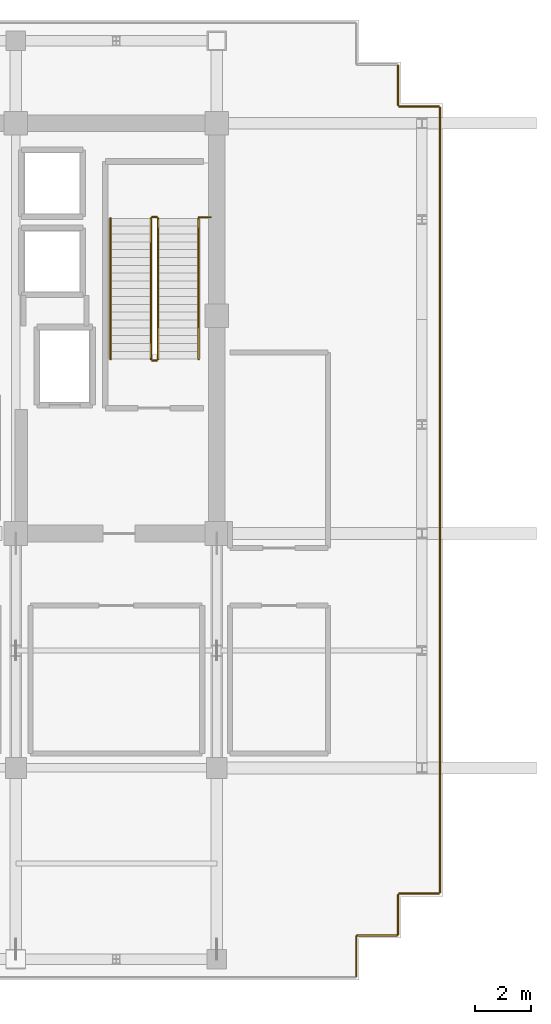
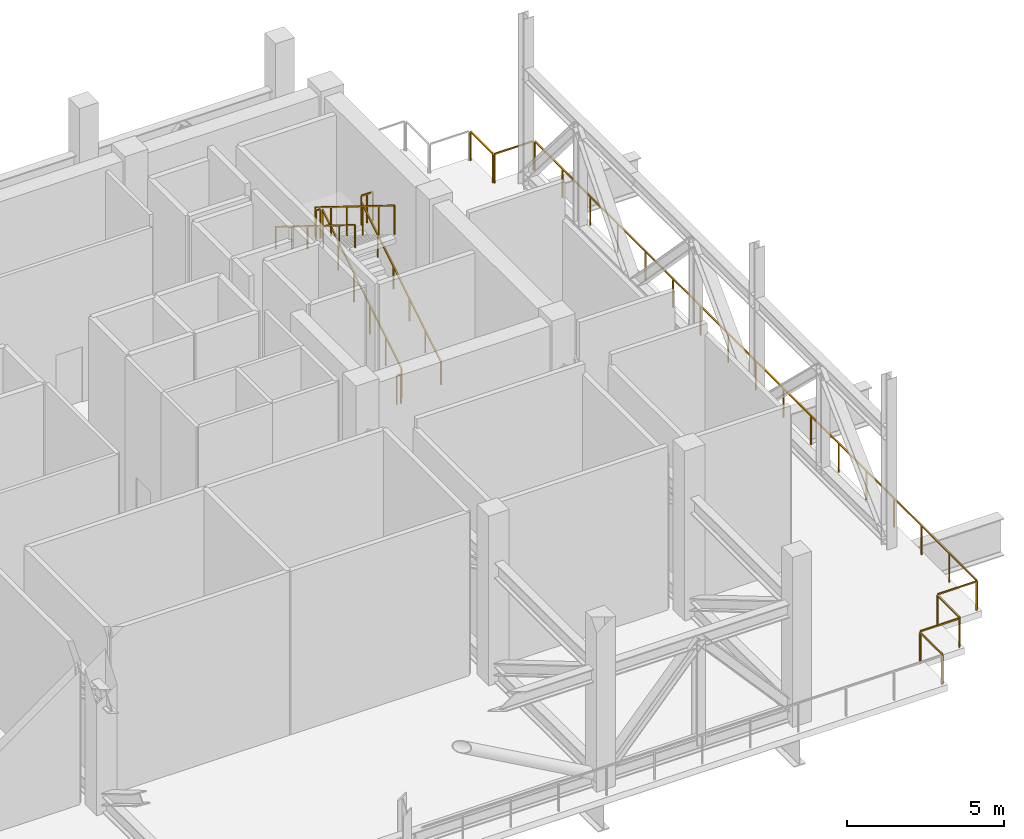
# One storey, part 9 of 11: 14 railings.
"""IFC4 building model written with IfcOpenShell, lengths in metres."""

from ifc_helpers import new_model, si_unit, direction, frame, origin, origin_2d, place, context, subcontext, project, spatial, rectangle, extrude, material, type_object, element, save


model = new_model("IFC4")

# Units and contexts
model_context = context("Model", 3, precision=1e-05, world=origin(), true_north=direction((0.0, 1.0)))
body_context = subcontext(model_context, "Body", "Model", "MODEL_VIEW")
ifc_project = project(units=[si_unit("LENGTHUNIT", "METRE"), si_unit("AREAUNIT", "SQUARE_METRE"), si_unit("VOLUMEUNIT", "CUBIC_METRE"), si_unit("PLANEANGLEUNIT", "RADIAN"), si_unit("MASSUNIT", "GRAM", prefix="KILO")], contexts=[model_context])

# Site, building, storey
site_placement = place(None, origin())
site = spatial("IfcSite", under=ifc_project, at=site_placement, CompositionType="ELEMENT")
building_placement = place(site_placement, origin())
building = spatial("IfcBuilding", under=site, at=building_placement, Name="Zarnakvel Exchange Tower", CompositionType="ELEMENT")
storey_placement = place(building_placement, frame((0.0, 0.0, 199.0)))
storey = spatial("IfcBuildingStorey", under=building, at=storey_placement, Name="L56", CompositionType="ELEMENT", Elevation=199.0)

# Railings
ifc_material_1 = material(Name="Architectural Bronze Anodised Aluminium", Category="aluminium")
railing_type_1 = type_object("IfcRailingType", Name="GR-01", PredefinedType="GUARDRAIL", material=ifc_material_1)
railing_1_placement = place(storey_placement, frame((20.89990234375, 15.56005859375, 0.0)))
element("IfcRailing", 1, at=railing_1_placement, inside=storey, type_object=railing_type_1, Name="L56 Perimeter Guardrail GR-L56-PERIM-09 (GR-01)", PredefinedType="GUARDRAIL", context=body_context, shape_type="SweptSolid", body=[
    extrude(rectangle(XDim=0.048095703125, YDim=0.048095703125, at=origin_2d()), frame((0.0, 0.0, 1.1259765625), z_axis=(0.0, -1.0, 0.0), x_axis=(1.0, 0.0, 0.0)), (0.0, 0.0, 1.0), 1.420166015625),
    extrude(rectangle(XDim=0.0419921875, YDim=0.0419921875, at=origin_2d()), origin(), (0.0, 0.0, 1.0), 1.101806640625),
    extrude(rectangle(XDim=0.0419921875, YDim=0.0419921875, at=origin_2d()), frame((0.0, -1.420166015625, 0.0)), (0.0, 0.0, 1.0), 1.101806640625),
])
railing_2_placement = place(storey_placement, frame((20.93994140625, 14.10009765625, 0.0)))
element("IfcRailing", 2, at=railing_2_placement, inside=storey, type_object=railing_type_1, Name="L56 Perimeter Guardrail GR-L56-PERIM-10 (GR-01)", PredefinedType="GUARDRAIL", context=body_context, shape_type="SweptSolid", body=[
    extrude(rectangle(XDim=0.048095703125, YDim=0.048095703125, at=origin_2d()), frame((0.0, 0.0, 1.1259765625), z_axis=(1.0, 0.0, 0.0), x_axis=(0.0, 1.0, 0.0)), (0.0, 0.0, 1.0), 1.420166015625),
    extrude(rectangle(XDim=0.0419921875, YDim=0.0419921875, at=origin_2d()), origin(), (0.0, 0.0, 1.0), 1.101806640625),
    extrude(rectangle(XDim=0.0419921875, YDim=0.0419921875, at=origin_2d()), frame((1.420166015625, 0.0, 0.0)), (0.0, 0.0, 1.0), 1.101806640625),
])
railing_3_placement = place(storey_placement, frame((22.39990234375, 14.06005859375, 0.0)))
element("IfcRailing", 3, at=railing_3_placement, inside=storey, type_object=railing_type_1, Name="L56 Perimeter Guardrail GR-L56-PERIM-11 (GR-01)", PredefinedType="GUARDRAIL", context=body_context, shape_type="SweptSolid", body=[
    extrude(rectangle(XDim=0.048095703125, YDim=0.048095703125, at=origin_2d()), frame((0.0, 0.0, 1.1259765625), z_axis=(0.0, -1.0, 0.0), x_axis=(1.0, 0.0, 0.0)), (0.0, 0.0, 1.0), 28.1201171875),
    extrude(rectangle(XDim=0.0419921875, YDim=0.0419921875, at=origin_2d()), origin(), (0.0, 0.0, 1.0), 1.101806640625),
    extrude(rectangle(XDim=0.0419921875, YDim=0.0419921875, at=origin_2d()), frame((0.0, -1.757568359375, 0.0)), (0.0, 0.0, 1.0), 1.101806640625),
    extrude(rectangle(XDim=0.0419921875, YDim=0.0419921875, at=origin_2d()), frame((0.0, -3.51513671875, 0.0)), (0.0, 0.0, 1.0), 1.101806640625),
    extrude(rectangle(XDim=0.0419921875, YDim=0.0419921875, at=origin_2d()), frame((0.0, -5.2724609375, 0.0)), (0.0, 0.0, 1.0), 1.101806640625),
    extrude(rectangle(XDim=0.0419921875, YDim=0.0419921875, at=origin_2d()), frame((0.0, -7.030029296875, 0.0)), (0.0, 0.0, 1.0), 1.101806640625),
    extrude(rectangle(XDim=0.0419921875, YDim=0.0419921875, at=origin_2d()), frame((0.0, -8.78759765625, 0.0)), (0.0, 0.0, 1.0), 1.101806640625),
    extrude(rectangle(XDim=0.0419921875, YDim=0.0419921875, at=origin_2d()), frame((0.0, -10.544921875, 0.0)), (0.0, 0.0, 1.0), 1.101806640625),
    extrude(rectangle(XDim=0.0419921875, YDim=0.0419921875, at=origin_2d()), frame((0.0, -12.302490234375, 0.0)), (0.0, 0.0, 1.0), 1.101806640625),
    extrude(rectangle(XDim=0.0419921875, YDim=0.0419921875, at=origin_2d()), frame((0.0, -14.06005859375, 0.0)), (0.0, 0.0, 1.0), 1.101806640625),
    extrude(rectangle(XDim=0.0419921875, YDim=0.0419921875, at=origin_2d()), frame((0.0, -15.817626953125, 0.0)), (0.0, 0.0, 1.0), 1.101806640625),
    extrude(rectangle(XDim=0.0419921875, YDim=0.0419921875, at=origin_2d()), frame((0.0, -17.5751953125, 0.0)), (0.0, 0.0, 1.0), 1.101806640625),
    extrude(rectangle(XDim=0.0419921875, YDim=0.0419921875, at=origin_2d()), frame((0.0, -19.33251953125, 0.0)), (0.0, 0.0, 1.0), 1.101806640625),
    extrude(rectangle(XDim=0.0419921875, YDim=0.0419921875, at=origin_2d()), frame((0.0, -21.090087890625, 0.0)), (0.0, 0.0, 1.0), 1.101806640625),
    extrude(rectangle(XDim=0.0419921875, YDim=0.0419921875, at=origin_2d()), frame((0.0, -22.84765625, 0.0)), (0.0, 0.0, 1.0), 1.101806640625),
    extrude(rectangle(XDim=0.0419921875, YDim=0.0419921875, at=origin_2d()), frame((0.0, -24.60498046875, 0.0)), (0.0, 0.0, 1.0), 1.101806640625),
    extrude(rectangle(XDim=0.0419921875, YDim=0.0419921875, at=origin_2d()), frame((0.0, -26.362548828125, 0.0)), (0.0, 0.0, 1.0), 1.101806640625),
    extrude(rectangle(XDim=0.0419921875, YDim=0.0419921875, at=origin_2d()), frame((0.0, -28.1201171875, 0.0)), (0.0, 0.0, 1.0), 1.101806640625),
])
railing_4_placement = place(storey_placement, frame((22.360107421875, -14.10009765625, 0.0)))
element("IfcRailing", 4, at=railing_4_placement, inside=storey, type_object=railing_type_1, Name="L56 Perimeter Guardrail GR-L56-PERIM-12 (GR-01)", PredefinedType="GUARDRAIL", context=body_context, shape_type="SweptSolid", body=[
    extrude(rectangle(XDim=0.048095703125, YDim=0.048095703125, at=origin_2d()), frame((0.0, 0.0, 1.1259765625), z_axis=(-1.0, 0.0, 0.0), x_axis=(0.0, -1.0, 0.0)), (0.0, 0.0, 1.0), 1.420166015625),
    extrude(rectangle(XDim=0.0419921875, YDim=0.0419921875, at=origin_2d()), origin(), (0.0, 0.0, 1.0), 1.101806640625),
    extrude(rectangle(XDim=0.0419921875, YDim=0.0419921875, at=origin_2d()), frame((-1.420166015625, 0.0, 0.0)), (0.0, 0.0, 1.0), 1.101806640625),
])
railing_5_placement = place(storey_placement, frame((20.89990234375, -14.139892578125, 0.0)))
element("IfcRailing", 5, at=railing_5_placement, inside=storey, type_object=railing_type_1, Name="L56 Perimeter Guardrail GR-L56-PERIM-13 (GR-01)", PredefinedType="GUARDRAIL", context=body_context, shape_type="SweptSolid", body=[
    extrude(rectangle(XDim=0.048095703125, YDim=0.048095703125, at=origin_2d()), frame((0.0, 0.0, 1.1259765625), z_axis=(0.0, -1.0, 0.0), x_axis=(1.0, 0.0, 0.0)), (0.0, 0.0, 1.0), 1.420166015625),
    extrude(rectangle(XDim=0.0419921875, YDim=0.0419921875, at=origin_2d()), origin(), (0.0, 0.0, 1.0), 1.101806640625),
    extrude(rectangle(XDim=0.0419921875, YDim=0.0419921875, at=origin_2d()), frame((0.0, -1.420166015625, 0.0)), (0.0, 0.0, 1.0), 1.101806640625),
])
railing_6_placement = place(storey_placement, frame((20.860107421875, -15.60009765625, 0.0)))
element("IfcRailing", 6, at=railing_6_placement, inside=storey, type_object=railing_type_1, Name="L56 Perimeter Guardrail GR-L56-PERIM-14 (GR-01)", PredefinedType="GUARDRAIL", context=body_context, shape_type="SweptSolid", body=[
    extrude(rectangle(XDim=0.048095703125, YDim=0.048095703125, at=origin_2d()), frame((0.0, 0.0, 1.1259765625), z_axis=(-1.0, 0.0, 0.0), x_axis=(0.0, -1.0, 0.0)), (0.0, 0.0, 1.0), 1.420166015625),
    extrude(rectangle(XDim=0.0419921875, YDim=0.0419921875, at=origin_2d()), origin(), (0.0, 0.0, 1.0), 1.101806640625),
    extrude(rectangle(XDim=0.0419921875, YDim=0.0419921875, at=origin_2d()), frame((-1.420166015625, 0.0, 0.0)), (0.0, 0.0, 1.0), 1.101806640625),
])
railing_7_placement = place(storey_placement, frame((19.39990234375, -15.639892578125, 0.0)))
element("IfcRailing", 7, at=railing_7_placement, inside=storey, type_object=railing_type_1, Name="L56 Perimeter Guardrail GR-L56-PERIM-15 (GR-01)", PredefinedType="GUARDRAIL", context=body_context, shape_type="SweptSolid", body=[
    extrude(rectangle(XDim=0.048095703125, YDim=0.048095703125, at=origin_2d()), frame((0.0, 0.0, 1.1259765625), z_axis=(0.0, -1.0, 0.0), x_axis=(1.0, 0.0, 0.0)), (0.0, 0.0, 1.0), 1.420166015625),
    extrude(rectangle(XDim=0.0419921875, YDim=0.0419921875, at=origin_2d()), origin(), (0.0, 0.0, 1.0), 1.101806640625),
    extrude(rectangle(XDim=0.0419921875, YDim=0.0419921875, at=origin_2d()), frame((0.0, -1.420166015625, 0.0)), (0.0, 0.0, 1.0), 1.101806640625),
])
ifc_material_2 = material(Name="Brushed Stainless Steel", Category="steel")
railing_type_2 = type_object("IfcRailingType", Name="HR-01", PredefinedType="HANDRAIL", material=ifc_material_2)
railing_8_placement = place(storey_placement, frame((13.75, 5.050048828125, 0.173583984375)))
element("IfcRailing", 8, at=railing_8_placement, inside=storey, type_object=railing_type_2, Name="L56 ST-02 stair handrail 1", PredefinedType="HANDRAIL", context=body_context, shape_type="SweptSolid", body=[
    extrude(rectangle(XDim=0.048095703125, YDim=0.048095703125, at=origin_2d()), frame((0.0, 0.0, 0.8759765625), z_axis=(0.0, 0.849778785312, 0.527139465448), x_axis=(-1.0, 0.0, 0.0)), (0.0, 0.0, 1.0), 5.930908203125),
    extrude(rectangle(XDim=0.0419921875, YDim=0.0419921875, at=origin_2d()), origin(), (0.0, 0.0, 1.0), 0.851806640625),
    extrude(rectangle(XDim=0.0419921875, YDim=0.0419921875, at=origin_2d()), frame((0.0, 1.008056640625, 0.625244140625)), (0.0, 0.0, 1.0), 0.851806640625),
    extrude(rectangle(XDim=0.0419921875, YDim=0.0419921875, at=origin_2d()), frame((0.0, 2.01611328125, 1.25048828125)), (0.0, 0.0, 1.0), 0.851806640625),
    extrude(rectangle(XDim=0.0419921875, YDim=0.0419921875, at=origin_2d()), frame((0.0, 3.02392578125, 1.8759765625)), (0.0, 0.0, 1.0), 0.851806640625),
    extrude(rectangle(XDim=0.0419921875, YDim=0.0419921875, at=origin_2d()), frame((0.0, 4.031982421875, 2.501220703125)), (0.0, 0.0, 1.0), 0.851806640625),
    extrude(rectangle(XDim=0.0419921875, YDim=0.0419921875, at=origin_2d()), frame((0.0, 5.0400390625, 3.12646484375)), (0.0, 0.0, 1.0), 0.851806640625),
])
railing_9_placement = place(storey_placement, frame((10.590087890625, 10.090087890625, 3.4736328125)))
element("IfcRailing", 9, at=railing_9_placement, inside=storey, type_object=railing_type_2, Name="L56 ST-02 stair handrail 2", PredefinedType="HANDRAIL", context=body_context, shape_type="SweptSolid", body=[
    extrude(rectangle(XDim=0.048095703125, YDim=0.048095703125, at=origin_2d()), frame((0.0, 0.0, 0.8759765625), z_axis=(0.0, -0.849778785312, 0.527139465448), x_axis=(1.0, 0.0, 0.0)), (0.0, 0.0, 1.0), 5.930908203125),
    extrude(rectangle(XDim=0.0419921875, YDim=0.0419921875, at=origin_2d()), origin(), (0.0, 0.0, 1.0), 0.851806640625),
    extrude(rectangle(XDim=0.0419921875, YDim=0.0419921875, at=origin_2d()), frame((0.0, -1.008056640625, 0.625244140625)), (0.0, 0.0, 1.0), 0.851806640625),
    extrude(rectangle(XDim=0.0419921875, YDim=0.0419921875, at=origin_2d()), frame((0.0, -2.01611328125, 1.25048828125)), (0.0, 0.0, 1.0), 0.851806640625),
    extrude(rectangle(XDim=0.0419921875, YDim=0.0419921875, at=origin_2d()), frame((0.0, -3.02392578125, 1.8759765625)), (0.0, 0.0, 1.0), 0.851806640625),
    extrude(rectangle(XDim=0.0419921875, YDim=0.0419921875, at=origin_2d()), frame((0.0, -4.031982421875, 2.501220703125)), (0.0, 0.0, 1.0), 0.851806640625),
    extrude(rectangle(XDim=0.0419921875, YDim=0.0419921875, at=origin_2d()), frame((0.0, -5.0400390625, 3.12646484375)), (0.0, 0.0, 1.0), 0.851806640625),
])
railing_type_3 = type_object("IfcRailingType", Name="SG-01", PredefinedType="GUARDRAIL", material=ifc_material_1)
railing_10_placement = place(storey_placement, frame((12.300048828125, 5.050048828125, 0.173583984375)))
element("IfcRailing", 10, at=railing_10_placement, inside=storey, type_object=railing_type_3, Name="L56 ST-02 stair guard 1", PredefinedType="GUARDRAIL", context=body_context, shape_type="SweptSolid", body=[
    extrude(rectangle(XDim=0.048095703125, YDim=0.048095703125, at=origin_2d()), frame((0.0, 0.0, 1.1259765625), z_axis=(0.0, 0.849778785312, 0.527139465448), x_axis=(-1.0, 0.0, 0.0)), (0.0, 0.0, 1.0), 5.930908203125),
    extrude(rectangle(XDim=0.0419921875, YDim=0.0419921875, at=origin_2d()), origin(), (0.0, 0.0, 1.0), 1.101806640625),
    extrude(rectangle(XDim=0.0419921875, YDim=0.0419921875, at=origin_2d()), frame((0.0, 1.008056640625, 0.625244140625)), (0.0, 0.0, 1.0), 1.101806640625),
    extrude(rectangle(XDim=0.0419921875, YDim=0.0419921875, at=origin_2d()), frame((0.0, 2.01611328125, 1.25048828125)), (0.0, 0.0, 1.0), 1.101806640625),
    extrude(rectangle(XDim=0.0419921875, YDim=0.0419921875, at=origin_2d()), frame((0.0, 3.02392578125, 1.8759765625)), (0.0, 0.0, 1.0), 1.101806640625),
    extrude(rectangle(XDim=0.0419921875, YDim=0.0419921875, at=origin_2d()), frame((0.0, 4.031982421875, 2.501220703125)), (0.0, 0.0, 1.0), 1.101806640625),
    extrude(rectangle(XDim=0.0419921875, YDim=0.0419921875, at=origin_2d()), frame((0.0, 5.0400390625, 3.12646484375)), (0.0, 0.0, 1.0), 1.101806640625),
])
railing_11_placement = place(storey_placement, frame((12.25, 10.139892578125, 3.300048828125)))
element("IfcRailing", 11, at=railing_11_placement, inside=storey, type_object=railing_type_3, Name="L56 ST-02 stair guard 2", PredefinedType="GUARDRAIL", context=body_context, shape_type="SweptSolid", body=[
    extrude(rectangle(XDim=0.048095703125, YDim=0.048095703125, at=origin_2d()), frame((0.0, 0.0, 1.1259765625), z_axis=(-1.0, 0.0, 0.0), x_axis=(0.0, -1.0, 0.0)), (0.0, 0.0, 1.0), 0.159912109375),
    extrude(rectangle(XDim=0.0419921875, YDim=0.0419921875, at=origin_2d()), origin(), (0.0, 0.0, 1.0), 1.101806640625),
    extrude(rectangle(XDim=0.0419921875, YDim=0.0419921875, at=origin_2d()), frame((-0.159912109375, 0.0, 0.0)), (0.0, 0.0, 1.0), 1.101806640625),
])
railing_12_placement = place(storey_placement, frame((12.0400390625, 10.090087890625, 3.4736328125)))
element("IfcRailing", 12, at=railing_12_placement, inside=storey, type_object=railing_type_3, Name="L56 ST-02 stair guard 3", PredefinedType="GUARDRAIL", context=body_context, shape_type="SweptSolid", body=[
    extrude(rectangle(XDim=0.048095703125, YDim=0.048095703125, at=origin_2d()), frame((0.0, 0.0, 1.1259765625), z_axis=(0.0, -0.849778785312, 0.527139465448), x_axis=(1.0, 0.0, 0.0)), (0.0, 0.0, 1.0), 5.930908203125),
    extrude(rectangle(XDim=0.0419921875, YDim=0.0419921875, at=origin_2d()), origin(), (0.0, 0.0, 1.0), 1.101806640625),
    extrude(rectangle(XDim=0.0419921875, YDim=0.0419921875, at=origin_2d()), frame((0.0, -1.008056640625, 0.625244140625)), (0.0, 0.0, 1.0), 1.101806640625),
    extrude(rectangle(XDim=0.0419921875, YDim=0.0419921875, at=origin_2d()), frame((0.0, -2.01611328125, 1.25048828125)), (0.0, 0.0, 1.0), 1.101806640625),
    extrude(rectangle(XDim=0.0419921875, YDim=0.0419921875, at=origin_2d()), frame((0.0, -3.02392578125, 1.8759765625)), (0.0, 0.0, 1.0), 1.101806640625),
    extrude(rectangle(XDim=0.0419921875, YDim=0.0419921875, at=origin_2d()), frame((0.0, -4.031982421875, 2.501220703125)), (0.0, 0.0, 1.0), 1.101806640625),
    extrude(rectangle(XDim=0.0419921875, YDim=0.0419921875, at=origin_2d()), frame((0.0, -5.0400390625, 3.12646484375)), (0.0, 0.0, 1.0), 1.101806640625),
])
railing_13_placement = place(storey_placement, frame((12.25, 5.0, 0.0)))
element("IfcRailing", 13, at=railing_13_placement, inside=storey, type_object=railing_type_3, Name="L56 ST-02 stair guard 4", PredefinedType="GUARDRAIL", context=body_context, shape_type="SweptSolid", body=[
    extrude(rectangle(XDim=0.048095703125, YDim=0.048095703125, at=origin_2d()), frame((0.0, 0.0, 1.1259765625), z_axis=(-1.0, 0.0, 0.0), x_axis=(0.0, -1.0, 0.0)), (0.0, 0.0, 1.0), 0.159912109375),
    extrude(rectangle(XDim=0.0419921875, YDim=0.0419921875, at=origin_2d()), origin(), (0.0, 0.0, 1.0), 1.101806640625),
    extrude(rectangle(XDim=0.0419921875, YDim=0.0419921875, at=origin_2d()), frame((-0.159912109375, 0.0, 0.0)), (0.0, 0.0, 1.0), 1.101806640625),
])
railing_14_placement = place(storey_placement, frame((13.75, 10.1298828125, 3.300048828125)))
element("IfcRailing", 14, at=railing_14_placement, inside=storey, type_object=railing_type_3, Name="L56 ST-02 Landing Slot Guardrail", PredefinedType="GUARDRAIL", context=body_context, shape_type="SweptSolid", body=[
    extrude(rectangle(XDim=0.048095703125, YDim=0.048095703125, at=origin_2d()), frame((0.0, 0.0, 1.1259765625), z_axis=(1.0, 0.0, 0.0), x_axis=(0.0, 1.0, 0.0)), (0.0, 0.0, 1.0), 0.429931640625),
    extrude(rectangle(XDim=0.0419921875, YDim=0.0419921875, at=origin_2d()), origin(), (0.0, 0.0, 1.0), 1.101806640625),
    extrude(rectangle(XDim=0.0419921875, YDim=0.0419921875, at=origin_2d()), frame((0.21484375, 0.0, 0.0)), (0.0, 0.0, 1.0), 1.101806640625),
    extrude(rectangle(XDim=0.0419921875, YDim=0.0419921875, at=origin_2d()), frame((0.429931640625, 0.0, 0.0)), (0.0, 0.0, 1.0), 1.101806640625),
])

save(model, "model.ifc")
